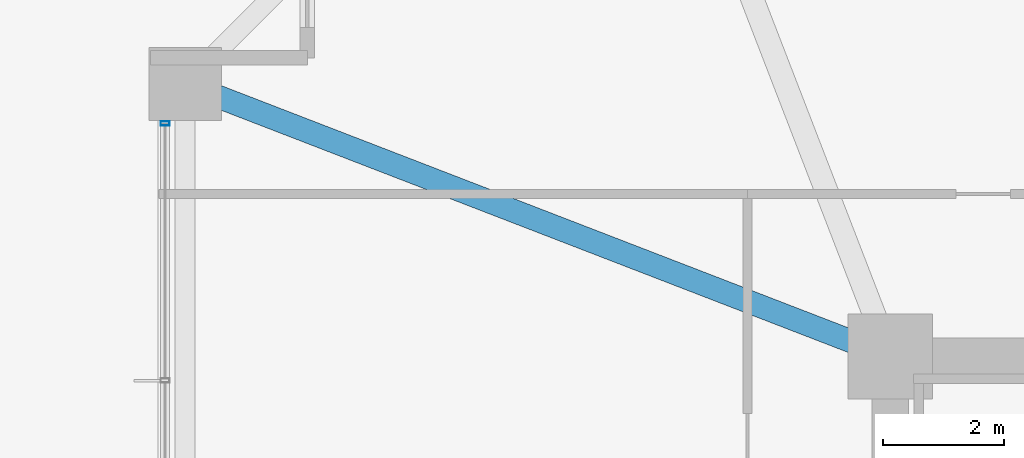
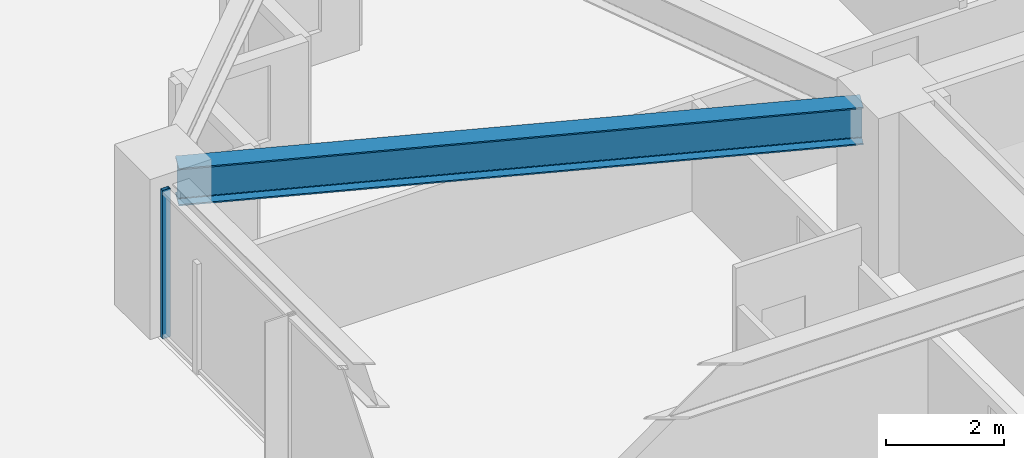
# One storey, part 18 of 36: 1 beam, 1 member, 1 element without a shape of its own.
"""IFC4 building model written with IfcOpenShell, lengths in metres."""

from ifc_helpers import new_model, si_unit, direction, frame, origin, origin_2d, place, context, subcontext, project, spatial, hollow_rectangle, i_section, extrude, material, material_profile, profile_set, type_object, element, aggregate, save


model = new_model("IFC4")

# Units and contexts
model_context = context("Model", 3, precision=1e-05, world=origin(), true_north=direction((0.0, 1.0)))
body_context = subcontext(model_context, "Body", "Model", "MODEL_VIEW")
ifc_project = project(units=[si_unit("LENGTHUNIT", "METRE"), si_unit("AREAUNIT", "SQUARE_METRE"), si_unit("VOLUMEUNIT", "CUBIC_METRE"), si_unit("PLANEANGLEUNIT", "RADIAN"), si_unit("MASSUNIT", "GRAM", prefix="KILO")], contexts=[model_context])

# Site, building, storey
site_placement = place(None, origin())
site = spatial("IfcSite", under=ifc_project, at=site_placement, CompositionType="ELEMENT")
building_placement = place(site_placement, origin())
building = spatial("IfcBuilding", under=site, at=building_placement, Name="Kolvaren Belvedere", CompositionType="ELEMENT")
storey_placement = place(building_placement, frame((0.0, 0.0, 23.800048828125)))
storey = spatial("IfcBuildingStorey", under=building, at=storey_placement, Name="L06", CompositionType="ELEMENT", Elevation=23.800048828125)

# Beam
ifc_material_1 = material(Name="Structural steel ASTM A992 Grade 50", Category="steel")
ifc_material_profile_1 = material_profile(ifc_material_1, i_section(OverallWidth=0.381103515625, OverallDepth=0.77294921875, WebThickness=0.0166015625, FlangeThickness=0.027099609375, FilletRadius=0.02392578125, at=origin_2d()), Name="W30X173")
ifc_profile_set_1 = profile_set([ifc_material_profile_1], Name="Structural steel ASTM A992 Grade 50")
beam_type = type_object("IfcBeamType", Name="BM-GIRD-W30X173", PredefinedType="BEAM", material=ifc_profile_set_1)
beam_placement = place(storey_placement, frame((-10.4130859375, 10.09814453125, 2.67333984375), z_axis=(-0.932829382313, 0.360318391835, 0.0), x_axis=(-0.360318391835, -0.932829382313, 0.0)))
element("IfcBeam", 1, at=beam_placement, inside=storey, type_object=beam_type, Name="L06 Corner Core-to-Perimeter Girder CC4-W4", PredefinedType="BEAM", context=body_context, shape_type="SweptSolid", body=[
    extrude(i_section(OverallWidth=0.381103515625, OverallDepth=0.77294921875, WebThickness=0.0166015625, FlangeThickness=0.027099609375, FilletRadius=0.02392578125, at=origin_2d()), origin(), (0.0, 0.0, 1.0), 11.698974609375),
])

# Curtain wall, member
ifc_material_2 = material(Name="Anodised pale-metal aluminium AA 6063-T6", Category="aluminium")
curtain_wall_type = type_object("IfcCurtainWallType", Name="CW-Z1-LOW", PredefinedType="NOTDEFINED", material=ifc_material_2)
curtain_wall_placement = place(storey_placement, origin())
curtain_wall = element("IfcCurtainWall", 2, at=curtain_wall_placement, inside=storey, type_object=curtain_wall_type, Name="L06 Unitised Curtain Wall FCW-L06-W-B3", PredefinedType="NOTDEFINED")
ifc_material_3 = material(Name="Anodised pale-metal aluminium AA 6063-T6", Category="aluminium")
ifc_material_profile_2 = material_profile(ifc_material_3, hollow_rectangle(XDim=0.070068359375, YDim=0.14990234375, WallThickness=0.004150390625, at=origin_2d()), Name="ALU-MUL-150X70")
ifc_profile_set_2 = profile_set([ifc_material_profile_2], Name="Anodised pale-metal aluminium AA 6063-T6")
member_type = type_object("IfcMemberType", Name="CW-MUL-150", PredefinedType="MULLION", material=ifc_profile_set_2)
member_placement = place(storey_placement, frame((-21.8798828125, 13.7451171875, 0.0), z_axis=(0.0, 0.0, 1.0), x_axis=(0.0, 1.0, 0.0)))
member = element("IfcMember", 3, at=member_placement, type_object=member_type, Name="FCW-L06-W-B3 Unitised Mullion 3", PredefinedType="MULLION", context=body_context, shape_type="SweptSolid", body=[
    extrude(hollow_rectangle(XDim=0.070068359375, YDim=0.14990234375, WallThickness=0.004150390625, at=origin_2d()), origin(), (0.0, 0.0, 1.0), 3.06005859375),
])
aggregate(curtain_wall, [member])

save(model, "model.ifc")
